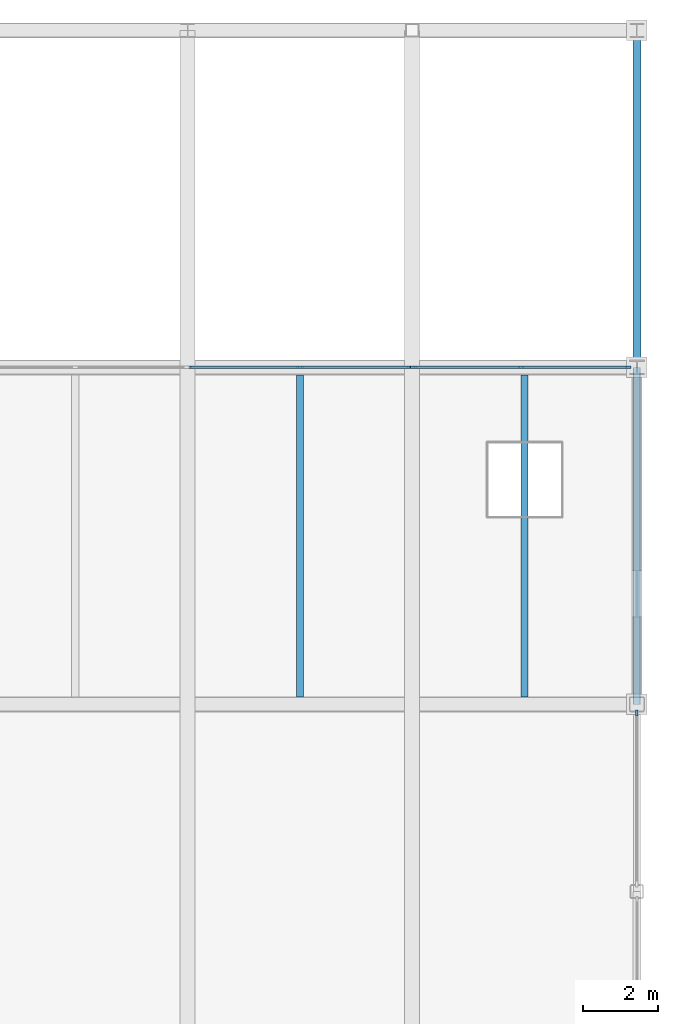
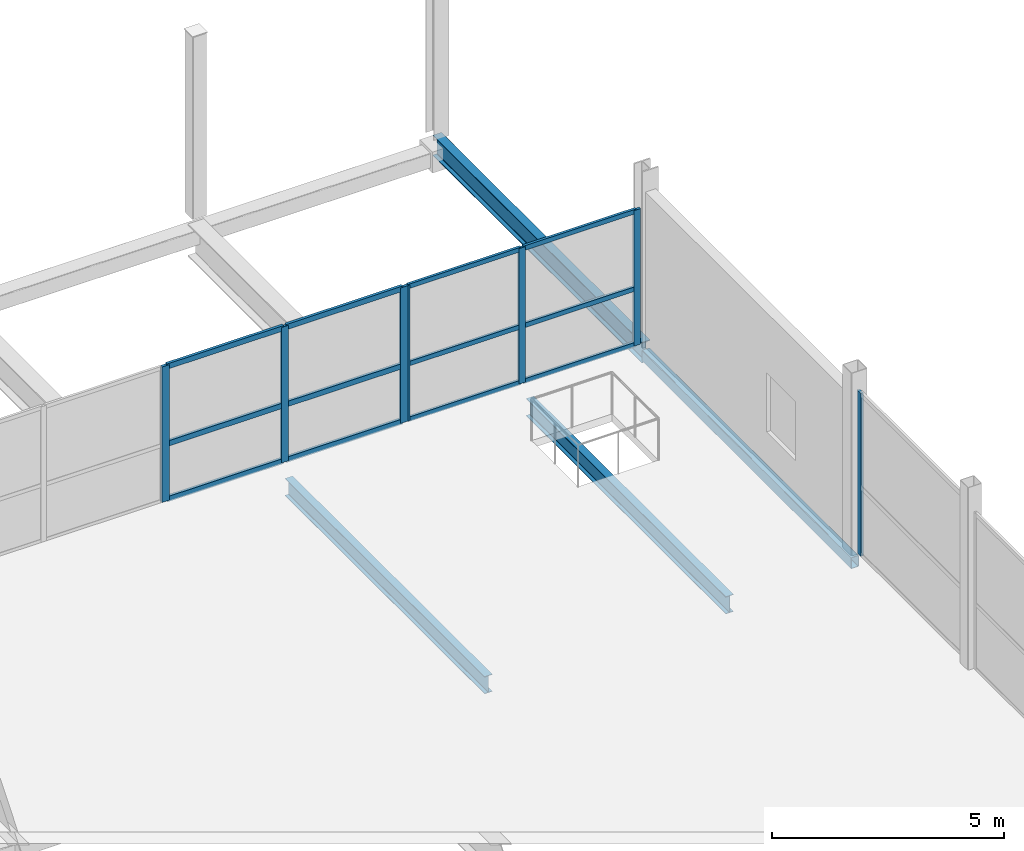
# One storey, part 39 of 69: 19 members, 4 beams, 3 elements without a shape of their own.
"""IFC4 building model written with IfcOpenShell, lengths in metres."""

from ifc_helpers import new_model, si_unit, direction, frame, origin, origin_2d, place, context, subcontext, project, spatial, rectangle, hollow_rectangle, i_section, extrude, material, layer, layer_set, material_profile, profile_set, type_object, element, aggregate, save


model = new_model("IFC4")

# Units and contexts
model_context = context("Model", 3, precision=1e-05, world=origin(), true_north=direction((0.0, 1.0)))
body_context = subcontext(model_context, "Body", "Model", "MODEL_VIEW")
ifc_project = project(units=[si_unit("LENGTHUNIT", "METRE"), si_unit("AREAUNIT", "SQUARE_METRE"), si_unit("VOLUMEUNIT", "CUBIC_METRE"), si_unit("PLANEANGLEUNIT", "RADIAN"), si_unit("MASSUNIT", "GRAM", prefix="KILO")], contexts=[model_context])

# Site, building, storey
site_placement = place(None, origin())
site = spatial("IfcSite", under=ifc_project, at=site_placement, CompositionType="ELEMENT")
building_placement = place(site_placement, origin())
building = spatial("IfcBuilding", under=site, at=building_placement, Name="Qamarlyn Nura Convention Centre", CompositionType="ELEMENT")
storey_placement = place(building_placement, frame((0.0, 0.0, 15.60009765625)))
storey = spatial("IfcBuildingStorey", under=building, at=storey_placement, Name="L03", CompositionType="ELEMENT", Elevation=15.60009765625)

# Beams
ifc_material_1 = material(Name="Steel ASTM A992", Category="steel")
ifc_material_profile_1 = material_profile(ifc_material_1, i_section(OverallWidth=0.18994140625, OverallDepth=0.45703125, WebThickness=0.009033203125, FlangeThickness=0.014404296875, FilletRadius=0.012939453125, at=origin_2d()), Name="W460X74")
ifc_profile_set_1 = profile_set([ifc_material_profile_1], Name="Steel ASTM A992")
beam_type_1 = type_object("IfcBeamType", Name="BM-JOIST-460", PredefinedType="JOIST", material=ifc_profile_set_1)
for number, where, z_axis, x_axis, name in (
    (1, (183.0, 108.199951171875, -0.528564453125), (0.0, 1.0, 0.0), (-1.0, 0.0, 0.0), "L03 secondary joist 16-17/N-P-46"),
    (2, (189.0, 108.199951171875, -0.528564453125), (0.0, 1.0, 0.0), (-1.0, 0.0, 0.0), "L03 secondary joist 17-18/N-P-52"),
):
    element("IfcBeam", number, at=place(storey_placement, frame(where, z_axis=z_axis, x_axis=x_axis)), inside=storey, type_object=beam_type_1, Name=name, PredefinedType="JOIST", context=body_context, shape_type="SweptSolid", body=[
        extrude(i_section(OverallWidth=0.18994140625, OverallDepth=0.45703125, WebThickness=0.009033203125, FlangeThickness=0.014404296875, FilletRadius=0.012939453125, at=origin_2d()), origin(), (0.0, 0.0, 1.0), 8.60009765625),
    ])
ifc_material_profile_2 = material_profile(ifc_material_1, i_section(OverallWidth=0.2109375, OverallDepth=0.5390625, WebThickness=0.01171875, FlangeThickness=0.018798828125, FilletRadius=0.013916015625, at=origin_2d()), Name="W530X109")
ifc_profile_set_2 = profile_set([ifc_material_profile_2], Name="Steel ASTM A992")
beam_type_2 = type_object("IfcBeamType", Name="BM-SPAN-530", PredefinedType="SPANDREL", material=ifc_profile_set_2)
beam_1_placement = place(storey_placement, frame((192.0, 117.0, -0.26953125), z_axis=(0.0, 1.0, 0.0), x_axis=(-1.0, 0.0, 0.0)))
element("IfcBeam", 3, at=beam_1_placement, inside=storey, type_object=beam_type_2, Name="L03 girder 18 P-Q", PredefinedType="SPANDREL", context=body_context, shape_type="SweptSolid", body=[
    extrude(i_section(OverallWidth=0.2109375, OverallDepth=0.5390625, WebThickness=0.01171875, FlangeThickness=0.018798828125, FilletRadius=0.013916015625, at=origin_2d()), origin(), (0.0, 0.0, 1.0), 9.0),
])
ifc_material_2 = material(Name="Steel ASTM A500 Grade C", Category="steel")
ifc_material_profile_3 = material_profile(ifc_material_2, hollow_rectangle(XDim=0.199951171875, YDim=0.300048828125, WallThickness=0.012451171875, InnerFilletRadius=0.012451171875, OuterFilletRadius=0.02490234375, at=origin_2d()), Name="HSS300X200X12.5")
ifc_profile_set_3 = profile_set([ifc_material_profile_3], Name="Steel ASTM A500 Grade C")
beam_type_3 = type_object("IfcBeamType", Name="BM-SPAN-HSS", PredefinedType="SPANDREL", material=ifc_profile_set_3)
beam_2_placement = place(storey_placement, frame((192.0, 108.0, -0.35009765625), z_axis=(0.0, 1.0, 0.0), x_axis=(-1.0, 0.0, 0.0)))
element("IfcBeam", 4, at=beam_2_placement, inside=storey, type_object=beam_type_3, Name="L03 girder 18 N-P", PredefinedType="SPANDREL", context=body_context, shape_type="SweptSolid", body=[
    extrude(hollow_rectangle(XDim=0.199951171875, YDim=0.300048828125, WallThickness=0.012451171875, InnerFilletRadius=0.012451171875, OuterFilletRadius=0.02490234375, at=origin_2d()), origin(), (0.0, 0.0, 1.0), 9.0),
])

# Curtain wall, member
ifc_material_3 = material(Name="Double-silver low-E insulated glass", Category="glass")
ifc_layer_1 = layer(ifc_material_3, 0.179931640625, Name="CW-UNIT-117")
ifc_layer_set_1 = layer_set([ifc_layer_1], Name="Double-silver low-E insulated glass")
curtain_wall_type_1 = type_object("IfcCurtainWallType", Name="CW-UNIT-117", PredefinedType="NOTDEFINED", material=ifc_layer_set_1)
curtain_wall_1_placement = place(storey_placement, origin())
curtain_wall_1 = element("IfcCurtainWall", 5, at=curtain_wall_1_placement, inside=storey, type_object=curtain_wall_type_1, Name="L03 unitised curtain wall EAST-12-1", PredefinedType="NOTDEFINED")
ifc_material_4 = material(Name="Champagne-anodised marine aluminium", Category="aluminium")
ifc_material_profile_4 = material_profile(ifc_material_4, rectangle(XDim=0.06494140625, YDim=0.159912109375, at=origin_2d()), Name="ALU MULLION 65x160")
ifc_profile_set_4 = profile_set([ifc_material_profile_4], Name="Champagne-anodised marine aluminium")
member_type_1 = type_object("IfcMemberType", Name="CWM-160", PredefinedType="MULLION", material=ifc_profile_set_4)
member_1_placement = place(storey_placement, frame((192.0, 107.767578125, 0.0), z_axis=(0.0, 0.0, 1.0), x_axis=(1.0, 0.0, 0.0)))
member_1 = element("IfcMember", 6, at=member_1_placement, type_object=member_type_1, Name="CW117 mullion 1", PredefinedType="MULLION", context=body_context, shape_type="SweptSolid", body=[
    extrude(rectangle(XDim=0.06494140625, YDim=0.159912109375, at=origin_2d()), origin(), (0.0, 0.0, 1.0), 4.284912109375),
])
aggregate(curtain_wall_1, [member_1])

# Curtain wall, members
ifc_layer_2 = layer(ifc_material_3, 0.179931640625, Name="CW-UNIT-133")
ifc_layer_set_2 = layer_set([ifc_layer_2], Name="Double-silver low-E insulated glass")
curtain_wall_type_2 = type_object("IfcCurtainWallType", Name="CW-UNIT-133", PredefinedType="NOTDEFINED", material=ifc_layer_set_2)
curtain_wall_2_placement = place(storey_placement, origin())
curtain_wall_2 = element("IfcCurtainWall", 7, at=curtain_wall_2_placement, inside=storey, type_object=curtain_wall_type_2, Name="L03 unitised curtain wall PLN-N6-1", PredefinedType="NOTDEFINED")
member_2_placement = place(storey_placement, frame((186.032470703125, 117.0, 0.0), z_axis=(0.0, 0.0, 1.0), x_axis=(0.0, 1.0, 0.0)))
member_2 = element("IfcMember", 8, at=member_2_placement, type_object=member_type_1, Name="CW133 mullion 1", PredefinedType="MULLION", context=body_context, shape_type="SweptSolid", body=[
    extrude(rectangle(XDim=0.06494140625, YDim=0.159912109375, at=origin_2d()), origin(), (0.0, 0.0, 1.0), 3.5634765625),
])
member_3_placement = place(storey_placement, frame((188.900146484375, 117.0, 0.0), z_axis=(0.0, 0.0, 1.0), x_axis=(0.0, 1.0, 0.0)))
member_3 = element("IfcMember", 9, at=member_3_placement, type_object=member_type_1, Name="CW133 mullion 2", PredefinedType="MULLION", context=body_context, shape_type="SweptSolid", body=[
    extrude(rectangle(XDim=0.06494140625, YDim=0.159912109375, at=origin_2d()), origin(), (0.0, 0.0, 1.0), 3.5634765625),
])
member_4_placement = place(storey_placement, frame((191.76806640625, 117.0, 0.0), z_axis=(0.0, 0.0, 1.0), x_axis=(0.0, 1.0, 0.0)))
member_4 = element("IfcMember", 10, at=member_4_placement, type_object=member_type_1, Name="CW133 mullion 3", PredefinedType="MULLION", context=body_context, shape_type="SweptSolid", body=[
    extrude(rectangle(XDim=0.06494140625, YDim=0.159912109375, at=origin_2d()), origin(), (0.0, 0.0, 1.0), 3.5634765625),
])

ifc_layer_3 = layer(ifc_material_3, 0.179931640625, Name="CW-UNIT-132")
ifc_layer_set_3 = layer_set([ifc_layer_3], Name="Double-silver low-E insulated glass")
curtain_wall_type_3 = type_object("IfcCurtainWallType", Name="CW-UNIT-132", PredefinedType="NOTDEFINED", material=ifc_layer_set_3)
curtain_wall_3_placement = place(storey_placement, origin())
curtain_wall_3 = element("IfcCurtainWall", 11, at=curtain_wall_3_placement, inside=storey, type_object=curtain_wall_type_3, Name="L03 unitised curtain wall PLN-N5-1", PredefinedType="NOTDEFINED")
ifc_material_profile_5 = material_profile(ifc_material_4, rectangle(XDim=0.070068359375, YDim=0.179931640625, at=origin_2d()), Name="ALU MULLION 70x180")
ifc_profile_set_5 = profile_set([ifc_material_profile_5], Name="Champagne-anodised marine aluminium")
member_type_2 = type_object("IfcMemberType", Name="CWM-180", PredefinedType="MULLION", material=ifc_profile_set_5)
member_5_placement = place(storey_placement, frame((180.034912109375, 117.0, 0.0), z_axis=(0.0, 0.0, 1.0), x_axis=(0.0, 1.0, 0.0)))
member_5 = element("IfcMember", 12, at=member_5_placement, type_object=member_type_2, Name="CW132 mullion 1", PredefinedType="MULLION", context=body_context, shape_type="SweptSolid", body=[
    extrude(rectangle(XDim=0.070068359375, YDim=0.179931640625, at=origin_2d()), origin(), (0.0, 0.0, 1.0), 3.5634765625),
])
member_6_placement = place(storey_placement, frame((183.0, 117.0, 0.0), z_axis=(0.0, 0.0, 1.0), x_axis=(0.0, 1.0, 0.0)))
member_6 = element("IfcMember", 13, at=member_6_placement, type_object=member_type_2, Name="CW132 mullion 2", PredefinedType="MULLION", context=body_context, shape_type="SweptSolid", body=[
    extrude(rectangle(XDim=0.070068359375, YDim=0.179931640625, at=origin_2d()), origin(), (0.0, 0.0, 1.0), 3.5634765625),
])
member_7_placement = place(storey_placement, frame((185.965087890625, 117.0, 0.0), z_axis=(0.0, 0.0, 1.0), x_axis=(0.0, 1.0, 0.0)))
member_7 = element("IfcMember", 14, at=member_7_placement, type_object=member_type_2, Name="CW132 mullion 3", PredefinedType="MULLION", context=body_context, shape_type="SweptSolid", body=[
    extrude(rectangle(XDim=0.070068359375, YDim=0.179931640625, at=origin_2d()), origin(), (0.0, 0.0, 1.0), 3.5634765625),
])

# Member
ifc_material_profile_6 = material_profile(ifc_material_4, rectangle(XDim=0.06494140625, YDim=0.1201171875, at=origin_2d()), Name="ALU TRANSOM 65x120")
ifc_profile_set_6 = profile_set([ifc_material_profile_6], Name="Champagne-anodised marine aluminium")
member_type_3 = type_object("IfcMemberType", Name="CWT-120", PredefinedType="USERDEFINED", material=ifc_profile_set_6)
member_8_placement = place(storey_placement, frame((186.06494140625, 117.0, 0.032470703125), z_axis=(1.0, 0.0, 0.0), x_axis=(0.0, 1.0, 0.0)))
member_8 = element("IfcMember", 15, at=member_8_placement, type_object=member_type_3, Name="CW133 transom 1.1", ObjectType="TRANSOM", PredefinedType="USERDEFINED", context=body_context, shape_type="SweptSolid", body=[
    extrude(rectangle(XDim=0.06494140625, YDim=0.1201171875, at=origin_2d()), origin(), (0.0, 0.0, 1.0), 2.802734375),
])

member_9_placement = place(storey_placement, frame((186.06494140625, 117.0, 1.496826171875), z_axis=(1.0, 0.0, 0.0), x_axis=(0.0, 1.0, 0.0)))
member_9 = element("IfcMember", 16, at=member_9_placement, type_object=member_type_3, Name="CW133 transom 1.2", ObjectType="TRANSOM", PredefinedType="USERDEFINED", context=body_context, shape_type="SweptSolid", body=[
    extrude(rectangle(XDim=0.06494140625, YDim=0.1201171875, at=origin_2d()), origin(), (0.0, 0.0, 1.0), 2.802734375),
])

member_10_placement = place(storey_placement, frame((186.06494140625, 117.0, 3.531005859375), z_axis=(1.0, 0.0, 0.0), x_axis=(0.0, 1.0, 0.0)))
member_10 = element("IfcMember", 17, at=member_10_placement, type_object=member_type_3, Name="CW133 transom 1.3", ObjectType="TRANSOM", PredefinedType="USERDEFINED", context=body_context, shape_type="SweptSolid", body=[
    extrude(rectangle(XDim=0.06494140625, YDim=0.1201171875, at=origin_2d()), origin(), (0.0, 0.0, 1.0), 2.802734375),
])

member_11_placement = place(storey_placement, frame((188.932861328125, 117.0, 0.032470703125), z_axis=(1.0, 0.0, 0.0), x_axis=(0.0, 1.0, 0.0)))
member_11 = element("IfcMember", 18, at=member_11_placement, type_object=member_type_3, Name="CW133 transom 2.1", ObjectType="TRANSOM", PredefinedType="USERDEFINED", context=body_context, shape_type="SweptSolid", body=[
    extrude(rectangle(XDim=0.06494140625, YDim=0.1201171875, at=origin_2d()), origin(), (0.0, 0.0, 1.0), 2.802734375),
])

member_12_placement = place(storey_placement, frame((188.932861328125, 117.0, 1.496826171875), z_axis=(1.0, 0.0, 0.0), x_axis=(0.0, 1.0, 0.0)))
member_12 = element("IfcMember", 19, at=member_12_placement, type_object=member_type_3, Name="CW133 transom 2.2", ObjectType="TRANSOM", PredefinedType="USERDEFINED", context=body_context, shape_type="SweptSolid", body=[
    extrude(rectangle(XDim=0.06494140625, YDim=0.1201171875, at=origin_2d()), origin(), (0.0, 0.0, 1.0), 2.802734375),
])

member_13_placement = place(storey_placement, frame((188.932861328125, 117.0, 3.531005859375), z_axis=(1.0, 0.0, 0.0), x_axis=(0.0, 1.0, 0.0)))
member_13 = element("IfcMember", 20, at=member_13_placement, type_object=member_type_3, Name="CW133 transom 2.3", ObjectType="TRANSOM", PredefinedType="USERDEFINED", context=body_context, shape_type="SweptSolid", body=[
    extrude(rectangle(XDim=0.06494140625, YDim=0.1201171875, at=origin_2d()), origin(), (0.0, 0.0, 1.0), 2.802734375),
])

aggregate(curtain_wall_2, [member_2, member_3, member_4, member_8, member_9, member_10, member_11, member_12, member_13])

ifc_material_profile_7 = material_profile(ifc_material_4, rectangle(XDim=0.070068359375, YDim=0.139892578125, at=origin_2d()), Name="ALU TRANSOM 70x140")
ifc_profile_set_7 = profile_set([ifc_material_profile_7], Name="Champagne-anodised marine aluminium")
member_type_4 = type_object("IfcMemberType", Name="CWT-140", PredefinedType="USERDEFINED", material=ifc_profile_set_7)
member_14_placement = place(storey_placement, frame((180.070068359375, 117.0, 0.034912109375), z_axis=(1.0, 0.0, 0.0), x_axis=(0.0, 1.0, 0.0)))
member_14 = element("IfcMember", 21, at=member_14_placement, type_object=member_type_4, Name="CW132 transom 1.1", ObjectType="TRANSOM", PredefinedType="USERDEFINED", context=body_context, shape_type="SweptSolid", body=[
    extrude(rectangle(XDim=0.070068359375, YDim=0.139892578125, at=origin_2d()), origin(), (0.0, 0.0, 1.0), 2.89501953125),
])

member_15_placement = place(storey_placement, frame((180.070068359375, 117.0, 1.496826171875), z_axis=(1.0, 0.0, 0.0), x_axis=(0.0, 1.0, 0.0)))
member_15 = element("IfcMember", 22, at=member_15_placement, type_object=member_type_4, Name="CW132 transom 1.2", ObjectType="TRANSOM", PredefinedType="USERDEFINED", context=body_context, shape_type="SweptSolid", body=[
    extrude(rectangle(XDim=0.070068359375, YDim=0.139892578125, at=origin_2d()), origin(), (0.0, 0.0, 1.0), 2.89501953125),
])

member_16_placement = place(storey_placement, frame((180.070068359375, 117.0, 3.5283203125), z_axis=(1.0, 0.0, 0.0), x_axis=(0.0, 1.0, 0.0)))
member_16 = element("IfcMember", 23, at=member_16_placement, type_object=member_type_4, Name="CW132 transom 1.3", ObjectType="TRANSOM", PredefinedType="USERDEFINED", context=body_context, shape_type="SweptSolid", body=[
    extrude(rectangle(XDim=0.070068359375, YDim=0.139892578125, at=origin_2d()), origin(), (0.0, 0.0, 1.0), 2.89501953125),
])

member_17_placement = place(storey_placement, frame((183.034912109375, 117.0, 0.034912109375), z_axis=(1.0, 0.0, 0.0), x_axis=(0.0, 1.0, 0.0)))
member_17 = element("IfcMember", 24, at=member_17_placement, type_object=member_type_4, Name="CW132 transom 2.1", ObjectType="TRANSOM", PredefinedType="USERDEFINED", context=body_context, shape_type="SweptSolid", body=[
    extrude(rectangle(XDim=0.070068359375, YDim=0.139892578125, at=origin_2d()), origin(), (0.0, 0.0, 1.0), 2.89501953125),
])

member_18_placement = place(storey_placement, frame((183.034912109375, 117.0, 1.496826171875), z_axis=(1.0, 0.0, 0.0), x_axis=(0.0, 1.0, 0.0)))
member_18 = element("IfcMember", 25, at=member_18_placement, type_object=member_type_4, Name="CW132 transom 2.2", ObjectType="TRANSOM", PredefinedType="USERDEFINED", context=body_context, shape_type="SweptSolid", body=[
    extrude(rectangle(XDim=0.070068359375, YDim=0.139892578125, at=origin_2d()), origin(), (0.0, 0.0, 1.0), 2.89501953125),
])

member_19_placement = place(storey_placement, frame((183.034912109375, 117.0, 3.5283203125), z_axis=(1.0, 0.0, 0.0), x_axis=(0.0, 1.0, 0.0)))
member_19 = element("IfcMember", 26, at=member_19_placement, type_object=member_type_4, Name="CW132 transom 2.3", ObjectType="TRANSOM", PredefinedType="USERDEFINED", context=body_context, shape_type="SweptSolid", body=[
    extrude(rectangle(XDim=0.070068359375, YDim=0.139892578125, at=origin_2d()), origin(), (0.0, 0.0, 1.0), 2.89501953125),
])

aggregate(curtain_wall_3, [member_5, member_6, member_7, member_14, member_15, member_16, member_17, member_18, member_19])

save(model, "model.ifc")
